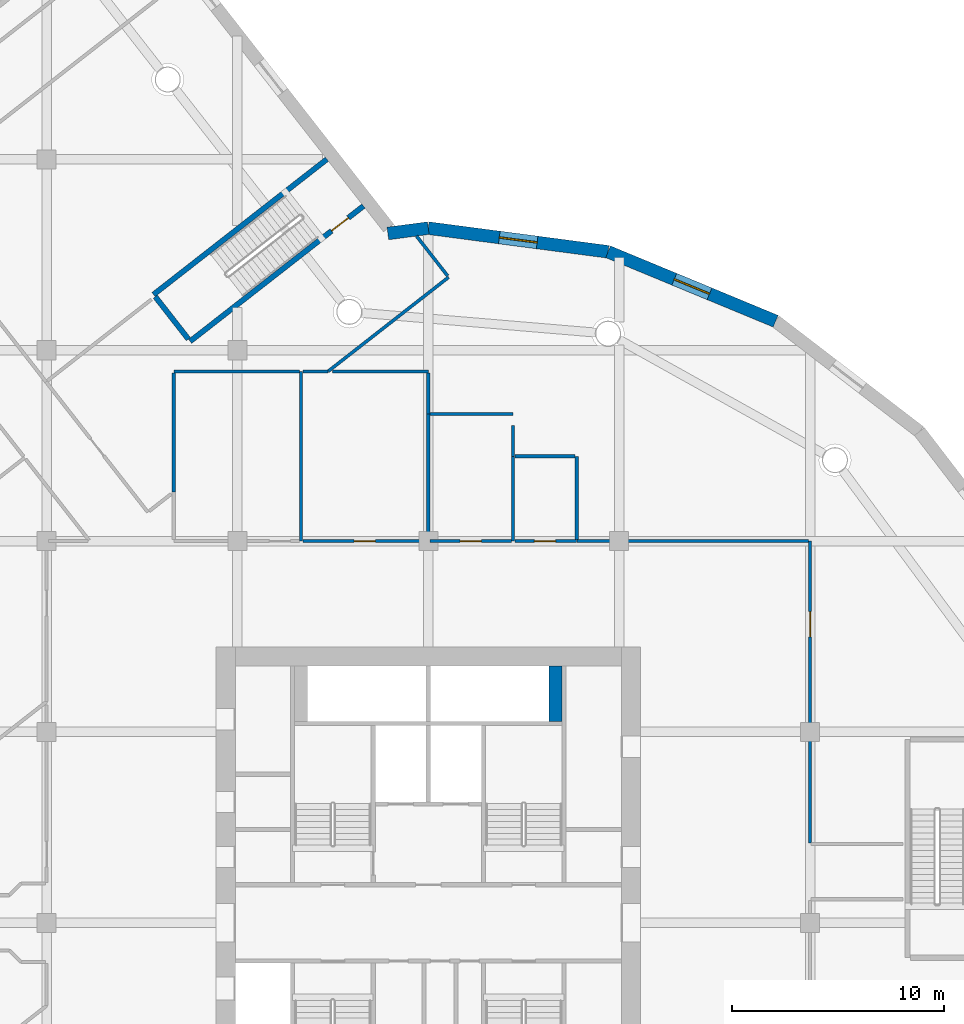
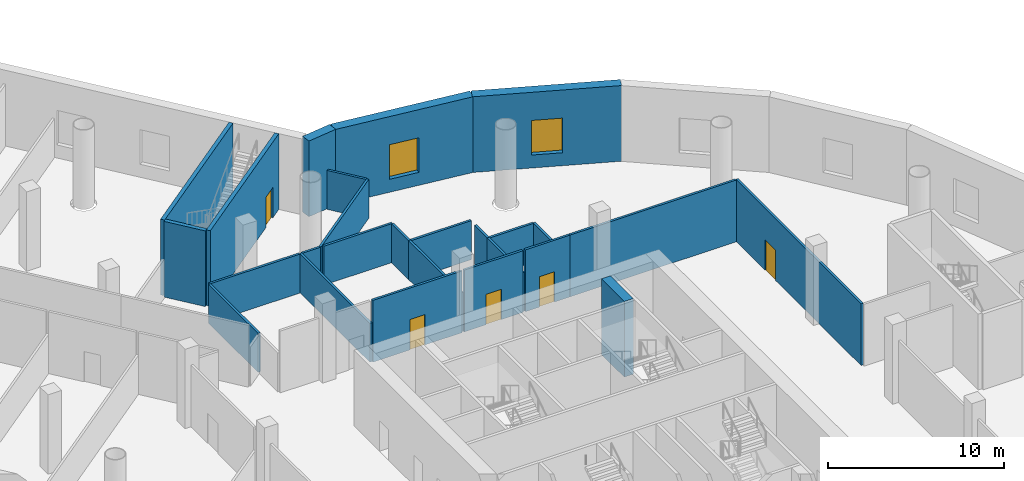
# One storey, part 10 of 23: 26 walls, 5 doors, 2 windows, 7 openings.
"""IFC4 building model written with IfcOpenShell, lengths in metres."""

from ifc_helpers import new_model, si_unit, direction, frame, frame_2d, origin, place, context, subcontext, project, spatial, rectangle, extrude, material, layer, layer_set, type_object, element, fill, save


model = new_model("IFC4")

# Units and contexts
model_context = context("Model", 3, precision=1e-05, world=origin(), true_north=direction((0.0, 1.0)))
body_context = subcontext(model_context, "Body", "Model", "MODEL_VIEW")
ifc_project = project(units=[si_unit("LENGTHUNIT", "METRE"), si_unit("AREAUNIT", "SQUARE_METRE"), si_unit("VOLUMEUNIT", "CUBIC_METRE"), si_unit("PLANEANGLEUNIT", "RADIAN"), si_unit("MASSUNIT", "GRAM", prefix="KILO")], contexts=[model_context])

# Site, building, storey
site_placement = place(None, origin())
site = spatial("IfcSite", under=ifc_project, at=site_placement, CompositionType="ELEMENT")
building_placement = place(site_placement, origin())
building = spatial("IfcBuilding", under=site, at=building_placement, Name="Tarsis Ring Headquarters", CompositionType="ELEMENT")
storey_placement = place(building_placement, frame((0.0, 0.0, 19.5)))
storey = spatial("IfcBuildingStorey", under=building, at=storey_placement, Name="L03", CompositionType="ELEMENT", Elevation=19.5)

# Walls
ifc_material_1 = material(Name="Plasterboard partition")
ifc_layer_1 = layer(ifc_material_1, 0.14990234375)
ifc_layer_set_1 = layer_set([ifc_layer_1], Name="PO-PW150")
wall_type_1 = type_object("IfcWallType", Name="PO-PW150", PredefinedType="PARTITIONING", material=ifc_layer_set_1)
wall_1_placement = place(storey_placement, frame((-6.0, 18.0, 0.0), z_axis=(0.0, 0.0, 1.0), x_axis=(0.0, 1.0, 0.0)))
element("IfcWall", 1, at=wall_1_placement, inside=storey, type_object=wall_type_1, Name="L03 partition wall 39", PredefinedType="PARTITIONING", context=body_context, shape_type="SweptSolid", body=[
    extrude(rectangle(XDim=8.0, YDim=0.14990234375, at=frame_2d((4.0, 0.0))), origin(), (0.0, 0.0, 1.0), 2.699951171875),
])
wall_2_placement = place(storey_placement, frame((0.960693359375, 30.4453125, 0.0), z_axis=(0.0, 0.0, 1.0), x_axis=(-0.788034113012, -0.615631575481, 0.0)))
element("IfcWall", 2, at=wall_2_placement, inside=storey, type_object=wall_type_1, Name="L03 partition wall 47", PredefinedType="PARTITIONING", context=body_context, shape_type="SweptSolid", body=[
    extrude(rectangle(XDim=7.220703125, YDim=0.14990234375, at=frame_2d((3.6103515625, 0.0))), origin(), (0.0, 0.0, 1.0), 2.699951171875),
])
wall_3_placement = place(storey_placement, frame((-6.080078125, 26.0, 0.0), z_axis=(0.0, 0.0, 1.0), x_axis=(-1.0, 0.0, 0.0)))
element("IfcWall", 3, at=wall_3_placement, inside=storey, type_object=wall_type_1, Name="L03 partition wall 59", PredefinedType="PARTITIONING", context=body_context, shape_type="SweptSolid", body=[
    extrude(rectangle(XDim=5.919921875, YDim=0.14990234375, at=frame_2d((2.9599609375, 0.0))), origin(), (0.0, 0.0, 1.0), 2.699951171875),
])
wall_4_placement = place(storey_placement, frame((0.0, 18.0, 0.0), z_axis=(0.0, 0.0, 1.0), x_axis=(0.0, 1.0, 0.0)))
element("IfcWall", 4, at=wall_4_placement, inside=storey, type_object=wall_type_1, Name="L03 partition wall 61", PredefinedType="PARTITIONING", context=body_context, shape_type="SweptSolid", body=[
    extrude(rectangle(XDim=6.0, YDim=0.14990234375, at=frame_2d((3.0, 0.0))), origin(), (0.0, 0.0, 1.0), 2.699951171875),
])
wall_5_placement = place(storey_placement, frame((-12.0, 25.919921875, 0.0), z_axis=(0.0, 0.0, 1.0), x_axis=(0.0, -1.0, 0.0)))
element("IfcWall", 5, at=wall_5_placement, inside=storey, type_object=wall_type_1, Name="L03 partition wall 62", PredefinedType="PARTITIONING", context=body_context, shape_type="SweptSolid", body=[
    extrude(rectangle(XDim=5.600341796875, YDim=0.14990234375, at=frame_2d((2.80029296875, 0.0))), origin(), (0.0, 0.0, 1.0), 2.699951171875),
])
wall_6_placement = place(storey_placement, frame((-0.001953125, 26.0, 0.0), z_axis=(0.0, 0.0, 1.0), x_axis=(-1.0, 0.0, 0.0)))
element("IfcWall", 6, at=wall_6_placement, inside=storey, type_object=wall_type_1, Name="L03 partition wall 74", PredefinedType="PARTITIONING", context=body_context, shape_type="SweptSolid", body=[
    extrude(rectangle(XDim=4.507568359375, YDim=0.14990234375, at=frame_2d((2.25390625, 0.0))), origin(), (0.0, 0.0, 1.0), 2.699951171875),
])
wall_7_placement = place(storey_placement, frame((4.0, 18.0, 0.0), z_axis=(0.0, 0.0, 1.0), x_axis=(0.0, 1.0, 0.0)))
element("IfcWall", 7, at=wall_7_placement, inside=storey, type_object=wall_type_1, Name="L03 partition wall 86", PredefinedType="PARTITIONING", context=body_context, shape_type="SweptSolid", body=[
    extrude(rectangle(XDim=4.0, YDim=0.14990234375, at=frame_2d((2.0, 0.0))), origin(), (0.0, 0.0, 1.0), 2.699951171875),
])
wall_8_placement = place(storey_placement, frame((7.0, 18.080078125, 0.0), z_axis=(0.0, 0.0, 1.0), x_axis=(0.0, 1.0, 0.0)))
element("IfcWall", 8, at=wall_8_placement, inside=storey, type_object=wall_type_1, Name="L03 partition wall 87", PredefinedType="PARTITIONING", context=body_context, shape_type="SweptSolid", body=[
    extrude(rectangle(XDim=3.919921875, YDim=0.14990234375, at=frame_2d((1.9599609375, 0.0))), origin(), (0.0, 0.0, 1.0), 2.699951171875),
])
wall_9_placement = place(storey_placement, frame((0.080078125, 24.0, 0.0), z_axis=(0.0, 0.0, 1.0), x_axis=(1.0, 0.0, 0.0)))
element("IfcWall", 9, at=wall_9_placement, inside=storey, type_object=wall_type_1, Name="L03 partition wall 88", PredefinedType="PARTITIONING", context=body_context, shape_type="SweptSolid", body=[
    extrude(rectangle(XDim=3.91796875, YDim=0.14990234375, at=frame_2d((1.958984375, 0.0))), origin(), (0.0, 0.0, 1.0), 2.699951171875),
])
wall_10_placement = place(storey_placement, frame((6.919921875, 22.0, 0.0), z_axis=(0.0, 0.0, 1.0), x_axis=(-1.0, 0.0, 0.0)))
element("IfcWall", 10, at=wall_10_placement, inside=storey, type_object=wall_type_1, Name="L03 partition wall 97", PredefinedType="PARTITIONING", context=body_context, shape_type="SweptSolid", body=[
    extrude(rectangle(XDim=2.83984375, YDim=0.14990234375, at=frame_2d((1.419921875, 0.0))), origin(), (0.0, 0.0, 1.0), 2.699951171875),
])
wall_11_placement = place(storey_placement, frame((0.910400390625, 30.5078125, 0.0), z_axis=(0.0, 0.0, 1.0), x_axis=(-0.615616157212, 0.788046157899, 0.0)))
element("IfcWall", 11, at=wall_11_placement, inside=storey, type_object=wall_type_1, Name="L03 partition wall 114", PredefinedType="PARTITIONING", context=body_context, shape_type="SweptSolid", body=[
    extrude(rectangle(XDim=2.378662109375, YDim=0.14990234375, at=frame_2d((1.189453125, 0.0))), origin(), (0.0, 0.0, 1.0), 2.699951171875),
])
wall_12_placement = place(storey_placement, frame((0.0, 24.0, 0.0), z_axis=(0.0, 0.0, 1.0), x_axis=(0.0, 1.0, 0.0)))
element("IfcWall", 12, at=wall_12_placement, inside=storey, type_object=wall_type_1, Name="L03 partition wall 130", PredefinedType="PARTITIONING", context=body_context, shape_type="SweptSolid", body=[
    extrude(rectangle(XDim=1.91796875, YDim=0.14990234375, at=frame_2d((0.958984375, 0.0))), origin(), (0.0, 0.0, 1.0), 2.699951171875),
])
wall_13_placement = place(storey_placement, frame((4.0, 22.0, 0.0), z_axis=(0.0, 0.0, 1.0), x_axis=(0.0, 1.0, 0.0)))
element("IfcWall", 13, at=wall_13_placement, inside=storey, type_object=wall_type_1, Name="L03 partition wall 144", PredefinedType="PARTITIONING", context=body_context, shape_type="SweptSolid", body=[
    extrude(rectangle(XDim=1.440673828125, YDim=0.14990234375, at=frame_2d((0.72021484375, 0.0))), origin(), (0.0, 0.0, 1.0), 2.699951171875),
])
wall_14_placement = place(storey_placement, frame((-4.7294921875, 26.0, 0.0), z_axis=(0.0, 0.0, 1.0), x_axis=(-1.0, 0.0, 0.0)))
element("IfcWall", 14, at=wall_14_placement, inside=storey, type_object=wall_type_1, Name="L03 partition wall 147", PredefinedType="PARTITIONING", context=body_context, shape_type="SweptSolid", body=[
    extrude(rectangle(XDim=1.1904296875, YDim=0.14990234375, at=frame_2d((0.59521484375, 0.0))), origin(), (0.0, 0.0, 1.0), 2.699951171875),
])

# Wall, opening, door
ifc_layer_2 = layer(ifc_material_1, 0.14990234375)
ifc_layer_set_2 = layer_set([ifc_layer_2], Name="PO-PW150R-4283")
wall_type_2 = type_object("IfcWallType", Name="PO-PW150R-4283", PredefinedType="PARTITIONING", material=ifc_layer_set_2)
wall_15_placement = place(storey_placement, frame((18.001953125, 18.0, 0.0), z_axis=(0.0, 0.0, 1.0), x_axis=(0.0, -1.0, 0.0)))
wall_15 = element("IfcWall", 15, at=wall_15_placement, inside=storey, type_object=wall_type_2, Name="L03 partition wall 12", PredefinedType="PARTITIONING", context=body_context, shape_type="SweptSolid", body=[
    extrude(rectangle(XDim=14.22998046875, YDim=0.14990234375, at=frame_2d((7.114990234375, 0.0))), origin(), (0.0, 0.0, 1.0), 4.282958984375),
])
opening_1_placement = place(wall_15_placement, frame((3.32080078125, 0.0, 0.0)))
opening_1 = element("IfcOpeningElement", 16, at=opening_1_placement, cuts=wall_15, Name="Opening PO-D2", PredefinedType="OPENING", context=body_context, shape_type="SweptSolid", body=[
    extrude(rectangle(XDim=1.199951171875, YDim=2.10009765625, at=frame_2d((0.60009765625, 1.050048828125))), frame((0.0, 0.0849609375, 0.0), z_axis=(0.0, -1.0, 0.0), x_axis=(1.0, 0.0, 0.0)), (0.0, 0.0, 1.0), 0.169921875),
])
ifc_material_2 = material(Name="Timber door", Category="wood")
door_type_1 = type_object("IfcDoorType", Name="PO-D1200", OperationType="NOTDEFINED", PredefinedType="DOOR", material=ifc_material_2)
door_1_placement = place(opening_1_placement, origin())
door_1 = element("IfcDoor", 17, at=door_1_placement, inside=storey, type_object=door_type_1, Name="Open office door", OperationType="SINGLE_SWING_RIGHT", OverallHeight=2.10009765625, OverallWidth=1.199951171875, PredefinedType="DOOR", context=body_context, shape_type="SweptSolid", body=[
    extrude(rectangle(XDim=1.199951171875, YDim=2.10009765625, at=frame_2d((0.60009765625, 1.050048828125))), frame((0.0, 0.02490234375, 0.0), z_axis=(0.0, -1.0, 0.0), x_axis=(1.0, 0.0, 0.0)), (0.0, 0.0, 1.0), 0.050048828125),
])
fill(opening_1, door_1)

# Wall
wall_16_placement = place(storey_placement, frame((7.001953125, 18.001953125, 0.0), z_axis=(0.0, 0.0, 1.0), x_axis=(1.0, 0.0, 0.0)))
element("IfcWall", 18, at=wall_16_placement, inside=storey, type_object=wall_type_2, Name="L03 partition wall 17", PredefinedType="PARTITIONING", context=body_context, shape_type="SweptSolid", body=[
    extrude(rectangle(XDim=10.91796875, YDim=0.14990234375, at=frame_2d((5.458984375, 0.0))), origin(), (0.0, 0.0, 1.0), 4.282958984375),
])

# Wall, opening, door
wall_17_placement = place(storey_placement, frame((-5.919921875, 18.0, 0.0), z_axis=(0.0, 0.0, 1.0), x_axis=(1.0, 0.0, 0.0)))
wall_17 = element("IfcWall", 19, at=wall_17_placement, inside=storey, type_object=wall_type_2, Name="L03 partition wall 60", PredefinedType="PARTITIONING", context=body_context, shape_type="SweptSolid", body=[
    extrude(rectangle(XDim=5.83984375, YDim=0.14990234375, at=frame_2d((2.919921875, 0.0))), origin(), (0.0, 0.0, 1.0), 4.282958984375),
])
opening_2_placement = place(wall_17_placement, frame((2.419921875, 0.0, 0.0)))
opening_2 = element("IfcOpeningElement", 20, at=opening_2_placement, cuts=wall_17, Name="Opening PO-D1", PredefinedType="OPENING", context=body_context, shape_type="SweptSolid", body=[
    extrude(rectangle(XDim=1.0, YDim=2.10009765625, at=frame_2d((0.5, 1.050048828125))), frame((0.0, 0.0849609375, 0.0), z_axis=(0.0, -1.0, 0.0), x_axis=(1.0, 0.0, 0.0)), (0.0, 0.0, 1.0), 0.169921875),
])
door_type_2 = type_object("IfcDoorType", Name="PO-D1000", OperationType="NOTDEFINED", PredefinedType="DOOR", material=ifc_material_2)
door_2_placement = place(opening_2_placement, origin())
door_2 = element("IfcDoor", 21, at=door_2_placement, inside=storey, type_object=door_type_2, Name="Female WC door", OperationType="SINGLE_SWING_LEFT", OverallHeight=2.10009765625, OverallWidth=1.0, PredefinedType="DOOR", context=body_context, shape_type="SweptSolid", body=[
    extrude(rectangle(XDim=1.0, YDim=2.10009765625, at=frame_2d((0.5, 1.050048828125))), frame((0.0, 0.02490234375, 0.0), z_axis=(0.0, -1.0, 0.0), x_axis=(1.0, 0.0, 0.0)), (0.0, 0.0, 1.0), 0.050048828125),
])
fill(opening_2, door_2)

wall_18_placement = place(storey_placement, frame((0.080078125, 18.0, 0.0), z_axis=(0.0, 0.0, 1.0), x_axis=(1.0, 0.0, 0.0)))
wall_18 = element("IfcWall", 22, at=wall_18_placement, inside=storey, type_object=wall_type_2, Name="L03 partition wall 85", PredefinedType="PARTITIONING", context=body_context, shape_type="SweptSolid", body=[
    extrude(rectangle(XDim=3.83984375, YDim=0.14990234375, at=frame_2d((1.919921875, 0.0))), origin(), (0.0, 0.0, 1.0), 4.282958984375),
])
opening_3_placement = place(wall_18_placement, frame((1.419921875, 0.0, 0.0)))
opening_3 = element("IfcOpeningElement", 23, at=opening_3_placement, cuts=wall_18, Name="Opening PO-D1", PredefinedType="OPENING", context=body_context, shape_type="SweptSolid", body=[
    extrude(rectangle(XDim=1.0, YDim=2.10009765625, at=frame_2d((0.5, 1.050048828125))), frame((0.0, 0.0849609375, 0.0), z_axis=(0.0, -1.0, 0.0), x_axis=(1.0, 0.0, 0.0)), (0.0, 0.0, 1.0), 0.169921875),
])
door_3_placement = place(opening_3_placement, origin())
door_3 = element("IfcDoor", 24, at=door_3_placement, inside=storey, type_object=door_type_2, Name="Accessible WC door", OperationType="SINGLE_SWING_RIGHT", OverallHeight=2.10009765625, OverallWidth=1.0, PredefinedType="DOOR", context=body_context, shape_type="SweptSolid", body=[
    extrude(rectangle(XDim=1.0, YDim=2.10009765625, at=frame_2d((0.5, 1.050048828125))), frame((0.0, 0.02490234375, 0.0), z_axis=(0.0, -1.0, 0.0), x_axis=(1.0, 0.0, 0.0)), (0.0, 0.0, 1.0), 0.050048828125),
])
fill(opening_3, door_3)

wall_19_placement = place(storey_placement, frame((4.080078125, 18.0, 0.0), z_axis=(0.0, 0.0, 1.0), x_axis=(1.0, 0.0, 0.0)))
wall_19 = element("IfcWall", 25, at=wall_19_placement, inside=storey, type_object=wall_type_2, Name="L03 partition wall 96", PredefinedType="PARTITIONING", context=body_context, shape_type="SweptSolid", body=[
    extrude(rectangle(XDim=2.919921875, YDim=0.14990234375, at=frame_2d((1.4599609375, 0.0))), origin(), (0.0, 0.0, 1.0), 4.282958984375),
])
opening_4_placement = place(wall_19_placement, frame((0.919921875, 0.0, 0.0)))
opening_4 = element("IfcOpeningElement", 26, at=opening_4_placement, cuts=wall_19, Name="Opening PO-D1", PredefinedType="OPENING", context=body_context, shape_type="SweptSolid", body=[
    extrude(rectangle(XDim=1.0, YDim=2.10009765625, at=frame_2d((0.5, 1.050048828125))), frame((0.0, 0.0849609375, 0.0), z_axis=(0.0, -1.0, 0.0), x_axis=(1.0, 0.0, 0.0)), (0.0, 0.0, 1.0), 0.169921875),
])
door_4_placement = place(opening_4_placement, origin())
door_4 = element("IfcDoor", 27, at=door_4_placement, inside=storey, type_object=door_type_2, Name="Cleaners' store door", OperationType="SINGLE_SWING_LEFT", OverallHeight=2.10009765625, OverallWidth=1.0, PredefinedType="DOOR", context=body_context, shape_type="SweptSolid", body=[
    extrude(rectangle(XDim=1.0, YDim=2.10009765625, at=frame_2d((0.5, 1.050048828125))), frame((0.0, 0.02490234375, 0.0), z_axis=(0.0, -1.0, 0.0), x_axis=(1.0, 0.0, 0.0)), (0.0, 0.0, 1.0), 0.050048828125),
])
fill(opening_4, door_4)

ifc_material_3 = material(Name="Concrete C40/50", Category="concrete")
ifc_layer_3 = layer(ifc_material_3, 0.25)
ifc_layer_set_3 = layer_set([ifc_layer_3], Name="PO-W250")
wall_type_3 = type_object("IfcWallType", Name="PO-W250", PredefinedType="SOLIDWALL", material=ifc_layer_set_3)
wall_20_placement = place(storey_placement, frame((-3.0576171875, 33.80029296875, 0.0), z_axis=(0.0, 0.0, 1.0), x_axis=(-0.788273447376, -0.615325094696, 0.0)))
wall_20 = element("IfcWall", 28, at=wall_20_placement, inside=storey, type_object=wall_type_3, Name="L03 shaft wall 22", PredefinedType="SOLIDWALL", context=body_context, shape_type="SweptSolid", body=[
    extrude(rectangle(XDim=10.369873046875, YDim=0.25, at=frame_2d((5.18505859375, 0.0))), origin(), (0.0, 0.0, 1.0), 5.25),
])
opening_5_placement = place(wall_20_placement, frame((0.90478515625, 0.0, 0.0)))
opening_5 = element("IfcOpeningElement", 29, at=opening_5_placement, cuts=wall_20, Name="Opening PO-D3", PredefinedType="OPENING", context=body_context, shape_type="SweptSolid", body=[
    extrude(rectangle(XDim=1.0, YDim=2.10009765625, at=frame_2d((0.5, 1.050048828125))), frame((0.0, 0.135009765625, 0.0), z_axis=(0.0, -1.0, 0.0), x_axis=(1.0, 0.0, 0.0)), (0.0, 0.0, 1.0), 0.27001953125),
])
ifc_material_4 = material(Name="Steel fire door", Category="steel")
door_type_3 = type_object("IfcDoorType", Name="PO-D1000F", OperationType="SINGLE_SWING_LEFT", PredefinedType="DOOR", material=ifc_material_4)
door_5_placement = place(opening_5_placement, origin())
door_5 = element("IfcDoor", 30, at=door_5_placement, inside=storey, type_object=door_type_3, Name="Exit stair 3 door", OperationType="SINGLE_SWING_LEFT", OverallHeight=2.10009765625, OverallWidth=1.0, PredefinedType="DOOR", context=body_context, shape_type="SweptSolid", body=[
    extrude(rectangle(XDim=1.0, YDim=2.10009765625, at=frame_2d((0.5, 1.050048828125))), frame((0.0, 0.02490234375, 0.0), z_axis=(0.0, -1.0, 0.0), x_axis=(1.0, 0.0, 0.0)), (0.0, 0.0, 1.0), 0.050048828125),
])
fill(opening_5, door_5)

# Walls
wall_21_placement = place(storey_placement, frame((-12.954833984375, 29.626708984375, 0.0), z_axis=(0.0, 0.0, 1.0), x_axis=(0.788283470415, 0.615312254283, 0.0)))
element("IfcWall", 31, at=wall_21_placement, inside=storey, type_object=wall_type_3, Name="L03 shaft wall 24", PredefinedType="SOLIDWALL", context=body_context, shape_type="SweptSolid", body=[
    extrude(rectangle(XDim=10.368408203125, YDim=0.25, at=frame_2d((5.18408203125, 0.0))), origin(), (0.0, 0.0, 1.0), 5.25),
])
wall_22_placement = place(storey_placement, frame((-11.31201171875, 27.52197265625, 0.0), z_axis=(0.0, 0.0, 1.0), x_axis=(-0.615343695919, 0.788258926935, 0.0)))
element("IfcWall", 32, at=wall_22_placement, inside=storey, type_object=wall_type_3, Name="L03 shaft wall 103", PredefinedType="SOLIDWALL", context=body_context, shape_type="SweptSolid", body=[
    extrude(rectangle(XDim=2.5400390625, YDim=0.25, at=frame_2d((1.27001953125, 0.0))), origin(), (0.0, 0.0, 1.0), 5.25),
])

# Wall, opening, window
ifc_material_5 = material(Name="Concrete C60/75", Category="concrete")
ifc_layer_4 = layer(ifc_material_5, 0.60009765625)
ifc_layer_set_4 = layer_set([ifc_layer_4], Name="PO-W600")
wall_type_4 = type_object("IfcWallType", Name="PO-W600", PredefinedType="SOLIDWALL", material=ifc_layer_set_4)
wall_23_placement = place(storey_placement, frame((16.37890625, 28.369140625, 0.0), z_axis=(0.0, 0.0, 1.0), x_axis=(-0.923883217595, 0.382674535665, 0.0)))
wall_23 = element("IfcWall", 33, at=wall_23_placement, inside=storey, type_object=wall_type_4, Name="L03 external wall 20", PredefinedType="SOLIDWALL", context=body_context, shape_type="SweptSolid", body=[
    extrude(rectangle(XDim=8.551513671875, YDim=0.60009765625, at=frame_2d((4.27587890625, 0.0))), origin(), (0.0, 0.0, 1.0), 5.25),
])
opening_6_placement = place(wall_23_placement, frame((3.375732421875, 0.0, 0.89990234375)))
opening_6 = element("IfcOpeningElement", 34, at=opening_6_placement, cuts=wall_23, Name="Opening PO-WN1", PredefinedType="OPENING", context=body_context, shape_type="SweptSolid", body=[
    extrude(rectangle(XDim=1.800048828125, YDim=2.39990234375, at=frame_2d((0.89990234375, 1.199951171875))), frame((0.0, 0.31005859375, 0.0), z_axis=(0.0, -1.0, 0.0), x_axis=(1.0, 0.0, 0.0)), (0.0, 0.0, 1.0), 0.6201171875),
])
ifc_material_6 = material(Name="Double glazing", Category="glass")
window_type = type_object("IfcWindowType", Name="PO-WN1800", PartitioningType="SINGLE_PANEL", PredefinedType="WINDOW", material=ifc_material_6)
window_1_placement = place(opening_6_placement, origin())
window_1 = element("IfcWindow", 35, at=window_1_placement, inside=storey, type_object=window_type, Name="L03 window 20.1", OverallHeight=2.39990234375, OverallWidth=1.800048828125, PartitioningType="SINGLE_PANEL", PredefinedType="WINDOW", context=body_context, shape_type="SweptSolid", body=[
    extrude(rectangle(XDim=1.800048828125, YDim=2.39990234375, at=frame_2d((0.89990234375, 1.199951171875))), frame((0.0, 0.030029296875, 0.0), z_axis=(0.0, -1.0, 0.0), x_axis=(1.0, 0.0, 0.0)), (0.0, 0.0, 1.0), 0.06005859375),
])
fill(opening_6, window_1)

wall_24_placement = place(storey_placement, frame((8.478271484375, 31.6416015625, 0.0), z_axis=(0.0, 0.0, 1.0), x_axis=(-0.991444478179, 0.130529102837, 0.0)))
wall_24 = element("IfcWall", 36, at=wall_24_placement, inside=storey, type_object=wall_type_4, Name="L03 external wall 21", PredefinedType="SOLIDWALL", context=body_context, shape_type="SweptSolid", body=[
    extrude(rectangle(XDim=8.551513671875, YDim=0.60009765625, at=frame_2d((4.27587890625, 0.0))), origin(), (0.0, 0.0, 1.0), 5.25),
])
opening_7_placement = place(wall_24_placement, frame((3.375732421875, 0.0, 0.89990234375)))
opening_7 = element("IfcOpeningElement", 37, at=opening_7_placement, cuts=wall_24, Name="Opening PO-WN1", PredefinedType="OPENING", context=body_context, shape_type="SweptSolid", body=[
    extrude(rectangle(XDim=1.800048828125, YDim=2.39990234375, at=frame_2d((0.89990234375, 1.199951171875))), frame((0.0, 0.31005859375, 0.0), z_axis=(0.0, -1.0, 0.0), x_axis=(1.0, 0.0, 0.0)), (0.0, 0.0, 1.0), 0.6201171875),
])
window_2_placement = place(opening_7_placement, origin())
window_2 = element("IfcWindow", 38, at=window_2_placement, inside=storey, type_object=window_type, Name="L03 window 21.1", OverallHeight=2.39990234375, OverallWidth=1.800048828125, PartitioningType="SINGLE_PANEL", PredefinedType="WINDOW", context=body_context, shape_type="SweptSolid", body=[
    extrude(rectangle(XDim=1.800048828125, YDim=2.39990234375, at=frame_2d((0.89990234375, 1.199951171875))), frame((0.0, 0.030029296875, 0.0), z_axis=(0.0, -1.0, 0.0), x_axis=(1.0, 0.0, 0.0)), (0.0, 0.0, 1.0), 0.06005859375),
])
fill(opening_7, window_2)

# Walls
wall_25_placement = place(storey_placement, frame((0.0, 32.7578125, 0.0), z_axis=(0.0, 0.0, 1.0), x_axis=(-0.991450406844, -0.130484063274, 0.0)))
element("IfcWall", 39, at=wall_25_placement, inside=storey, type_object=wall_type_4, Name="L03 external wall 22", PredefinedType="SOLIDWALL", context=body_context, shape_type="SweptSolid", body=[
    extrude(rectangle(XDim=1.92333984375, YDim=0.60009765625, at=frame_2d((0.961669921875, 0.0))), origin(), (0.0, 0.0, 1.0), 5.25),
])
ifc_material_7 = material(Name="Concrete C32/40", Category="concrete")
ifc_layer_5 = layer(ifc_material_7, 0.60009765625)
ifc_layer_set_5 = layer_set([ifc_layer_5], Name="Shaft end wall 600 C32/40")
wall_type_5 = type_object("IfcWallType", Name="Shaft end wall 600 C32/40", PredefinedType="SOLIDWALL", material=ifc_layer_set_5)
wall_26_placement = place(storey_placement, frame((6.0, 9.5, 0.0), z_axis=(0.0, 0.0, 1.0), x_axis=(0.0, 1.0, 0.0)))
element("IfcWall", 40, at=wall_26_placement, inside=storey, type_object=wall_type_5, Name="Core shaft wall NNE2", PredefinedType="SOLIDWALL", context=body_context, shape_type="SweptSolid", body=[
    extrude(rectangle(XDim=2.60009765625, YDim=0.60009765625, at=frame_2d((1.300048828125, 0.0))), origin(), (0.0, 0.0, 1.0), 5.25),
])

save(model, "model.ifc")
